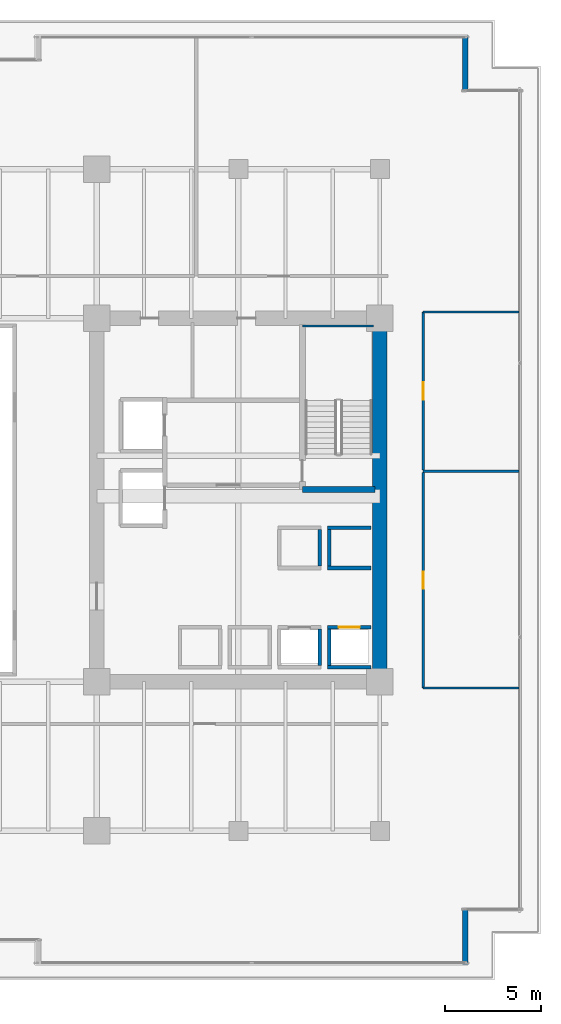
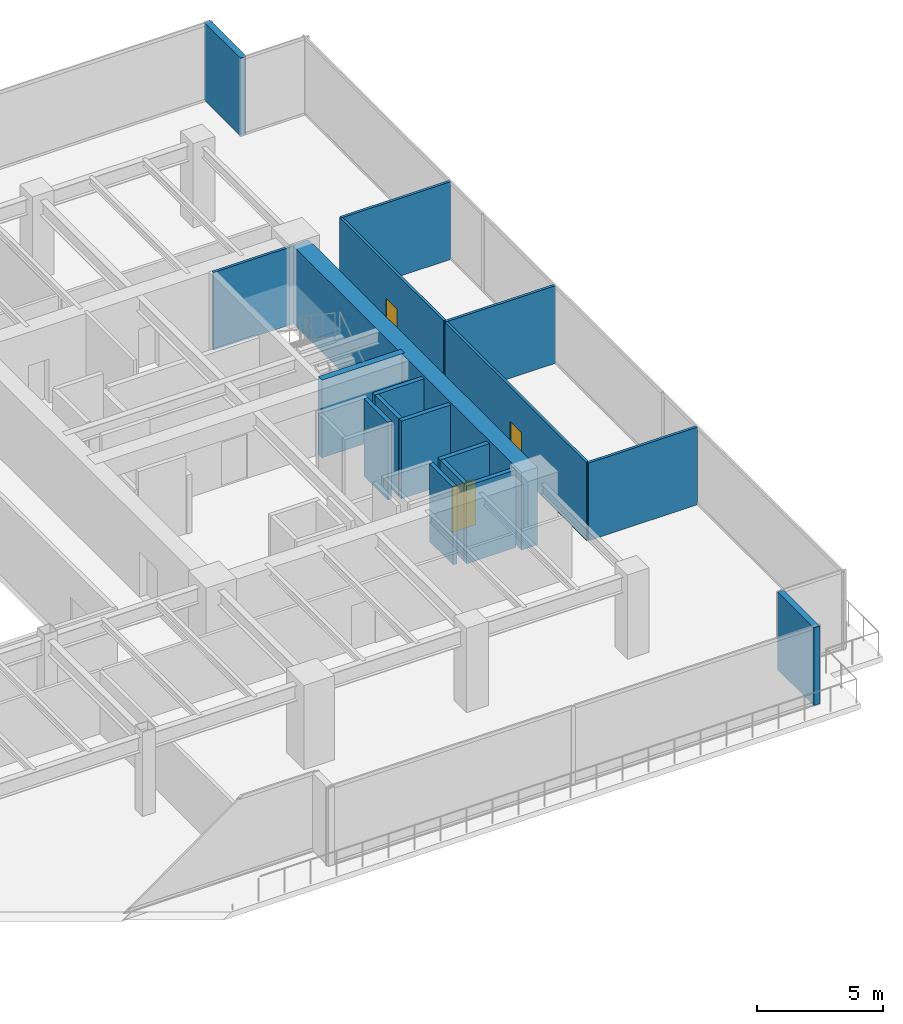
# One storey, part 32 of 36: 18 walls, 3 doors, 3 openings.
"""IFC4 building model written with IfcOpenShell, lengths in metres."""

from ifc_helpers import new_model, si_unit, direction, frame, frame_2d, origin, place, context, subcontext, project, spatial, rectangle, extrude, source, transform, mapped, material, layer, layer_set, type_object, type_shapes, element, fill, save


model = new_model("IFC4")

# Units and contexts
model_context = context("Model", 3, precision=1e-05, world=origin(), true_north=direction((0.0, 1.0)))
body_context = subcontext(model_context, "Body", "Model", "MODEL_VIEW")
ifc_project = project(units=[si_unit("LENGTHUNIT", "METRE"), si_unit("AREAUNIT", "SQUARE_METRE"), si_unit("VOLUMEUNIT", "CUBIC_METRE"), si_unit("PLANEANGLEUNIT", "RADIAN"), si_unit("MASSUNIT", "GRAM", prefix="KILO")], contexts=[model_context])

# Site, building, storey
site_placement = place(None, origin())
site = spatial("IfcSite", under=ifc_project, at=site_placement, CompositionType="ELEMENT")
building_placement = place(site_placement, origin())
building = spatial("IfcBuilding", under=site, at=building_placement, Name="Haelvirn Gate Laboratories", CompositionType="ELEMENT")
storey_placement = place(building_placement, frame((0.0, 0.0, 25.199951171875)))
storey = spatial("IfcBuildingStorey", under=building, at=storey_placement, Name="L06", CompositionType="ELEMENT", Elevation=25.199951171875)

# Walls
ifc_material_1 = material(Name="Thermally-broken bronze aluminium rainscreen & mineral wool", Category="aluminium")
ifc_layer_1 = layer(ifc_material_1, 0.280029296875, Name="EW-TERR-280")
ifc_layer_set_1 = layer_set([ifc_layer_1], Name="Thermally-broken bronze aluminium rainscreen & mineral wool")
wall_type_1 = type_object("IfcWallType", Name="EW-TERR-280", PredefinedType="STANDARD", material=ifc_layer_set_1)
wall_1_placement = place(storey_placement, frame((71.860107421875, 0.0, 0.0), z_axis=(0.0, 0.0, 1.0), x_axis=(0.0, 1.0, 0.0)))
element("IfcWall", 1, at=wall_1_placement, inside=storey, type_object=wall_type_1, Name="L06 Atrium Recess Bronze Return Wall 05", PredefinedType="STANDARD", context=body_context, shape_type="SweptSolid", body=[
    extrude(rectangle(XDim=2.887939453125, YDim=0.280029296875, at=frame_2d((1.44384765625, 0.0))), origin(), (0.0, 0.0, 1.0), 3.780029296875),
])
wall_2_placement = place(storey_placement, frame((71.860107421875, 45.7119140625, 0.0), z_axis=(0.0, 0.0, 1.0), x_axis=(0.0, 1.0, 0.0)))
element("IfcWall", 2, at=wall_2_placement, inside=storey, type_object=wall_type_1, Name="L06 Atrium Recess Bronze Return Wall 09", PredefinedType="STANDARD", context=body_context, shape_type="SweptSolid", body=[
    extrude(rectangle(XDim=2.88818359375, YDim=0.280029296875, at=frame_2d((1.444091796875, 0.0))), origin(), (0.0, 0.0, 1.0), 3.780029296875),
])
ifc_material_2 = material(Name="Lightweight acoustic gypsum board partition", Category="gypsum")
ifc_layer_2 = layer(ifc_material_2, 0.1201171875, Name="IW-PART-120")
ifc_layer_set_2 = layer_set([ifc_layer_2], Name="Lightweight acoustic gypsum board partition")
wall_type_2 = type_object("IfcWallType", Name="IW-PART-120", PredefinedType="PARTITIONING", material=ifc_layer_set_2)
for number, where, z_axis, x_axis, name in (
    (3, (69.669921875, 14.465087890625, 0.0), (0.0, 0.0, 1.0), (1.0, 0.0, 0.0), "L06 Interior Wall IW-L06-ECAP-S"),
    (4, (69.669921875, 34.135009765625, 0.0), (0.0, 0.0, 1.0), (1.0, 0.0, 0.0), "L06 Interior Wall IW-L06-ECAP-N"),
):
    element("IfcWall", number, at=place(storey_placement, frame(where, z_axis=z_axis, x_axis=x_axis)), inside=storey, type_object=wall_type_2, Name=name, PredefinedType="PARTITIONING", context=body_context, shape_type="SweptSolid", body=[
        extrude(rectangle(XDim=5.02001953125, YDim=0.1201171875, at=frame_2d((2.510009765625, 0.0))), origin(), (0.0, 0.0, 1.0), 3.780029296875),
    ])

# Wall, opening, door
wall_3_placement = place(storey_placement, frame((69.669921875, 14.465087890625, 0.0), z_axis=(0.0, 0.0, 1.0), x_axis=(0.0, 1.0, 0.0)))
wall_3 = element("IfcWall", 5, at=wall_3_placement, inside=storey, type_object=wall_type_2, Name="L06 Interior Wall IW-L06-EPASS-01", PredefinedType="PARTITIONING", context=body_context, shape_type="SweptSolid", body=[
    extrude(rectangle(XDim=11.27490234375, YDim=0.1201171875, at=frame_2d((5.637451171875, 0.0))), origin(), (0.0, 0.0, 1.0), 3.780029296875),
])
opening_1_placement = place(wall_3_placement, frame((5.1875, 0.0, 0.0)))
opening_1 = element("IfcOpeningElement", 6, at=opening_1_placement, cuts=wall_3, Name="Opening D4", PredefinedType="OPENING", context=body_context, shape_type="SweptSolid", body=[
    extrude(rectangle(XDim=0.89990234375, YDim=2.10009765625, at=frame_2d((0.449951171875, 1.050048828125))), frame((0.0, 0.070068359375, 0.0), z_axis=(0.0, -1.0, 0.0), x_axis=(1.0, 0.0, 0.0)), (0.0, 0.0, 1.0), 0.14013671875),
])
ifc_material_3 = material(Name="Glazed aluminium-framed write-up door", Category="aluminium")
door_type_1 = type_object("IfcDoorType", Name="DR-OFF-900", OperationType="NOTDEFINED", PredefinedType="DOOR", material=ifc_material_3)
shared_shape_1 = source(origin(), body_context, "Body", "SweptSolid", [
    extrude(rectangle(XDim=0.89990234375, YDim=2.10009765625, at=frame_2d((0.449951171875, 1.050048828125))), frame((0.0, 0.02490234375, 0.0), z_axis=(0.0, -1.0, 0.0), x_axis=(1.0, 0.0, 0.0)), (0.0, 0.0, 1.0), 0.050048828125),
])
type_shapes(door_type_1, [shared_shape_1])
door_1_placement = place(opening_1_placement, origin())
door_1 = element("IfcDoor", 7, at=door_1_placement, inside=storey, type_object=door_type_1, Name="L06 Chemical Synthesis Laboratory Door E1", OperationType="SINGLE_SWING_LEFT", OverallHeight=2.10009765625, OverallWidth=0.89990234375, PredefinedType="DOOR", context=body_context, shape_type="MappedRepresentation", body=[
    mapped(shared_shape_1, transform((0.0, 0.0, 0.0), scale=1.0)),
])
fill(opening_1, door_1)

# Wall
wall_4_placement = place(storey_placement, frame((69.669921875, 25.800048828125, 0.0), z_axis=(0.0, 0.0, 1.0), x_axis=(1.0, 0.0, 0.0)))
element("IfcWall", 8, at=wall_4_placement, inside=storey, type_object=wall_type_2, Name="L06 Interior Wall IW-L06-EDIV-01", PredefinedType="PARTITIONING", context=body_context, shape_type="SweptSolid", body=[
    extrude(rectangle(XDim=5.02001953125, YDim=0.1201171875, at=frame_2d((2.510009765625, 0.0))), origin(), (0.0, 0.0, 1.0), 3.780029296875),
])

# Wall, opening, door
wall_5_placement = place(storey_placement, frame((69.669921875, 25.860107421875, 0.0), z_axis=(0.0, 0.0, 1.0), x_axis=(0.0, 1.0, 0.0)))
wall_5 = element("IfcWall", 9, at=wall_5_placement, inside=storey, type_object=wall_type_2, Name="L06 Interior Wall IW-L06-EPASS-02", PredefinedType="PARTITIONING", context=body_context, shape_type="SweptSolid", body=[
    extrude(rectangle(XDim=8.27490234375, YDim=0.1201171875, at=frame_2d((4.137451171875, 0.0))), origin(), (0.0, 0.0, 1.0), 3.780029296875),
])
opening_2_placement = place(wall_5_placement, frame((3.6875, 0.0, 0.0)))
opening_2 = element("IfcOpeningElement", 10, at=opening_2_placement, cuts=wall_5, Name="Opening D4", PredefinedType="OPENING", context=body_context, shape_type="SweptSolid", body=[
    extrude(rectangle(XDim=0.89990234375, YDim=2.10009765625, at=frame_2d((0.449951171875, 1.050048828125))), frame((0.0, 0.070068359375, 0.0), z_axis=(0.0, -1.0, 0.0), x_axis=(1.0, 0.0, 0.0)), (0.0, 0.0, 1.0), 0.14013671875),
])
door_2_placement = place(opening_2_placement, origin())
door_2 = element("IfcDoor", 11, at=door_2_placement, inside=storey, type_object=door_type_1, Name="L06 Bioprocess Foundry Laboratory Door E2", OperationType="SINGLE_SWING_RIGHT", OverallHeight=2.10009765625, OverallWidth=0.89990234375, PredefinedType="DOOR", context=body_context, shape_type="MappedRepresentation", body=[
    mapped(shared_shape_1, transform((0.0, 0.0, 0.0), scale=1.0)),
])
fill(opening_2, door_2)

# Walls
ifc_material_4 = material(Name="Concrete C40/50", Category="concrete")
ifc_layer_3 = layer(ifc_material_4, 0.179931640625, Name="IW-SHAFT-180")
ifc_layer_set_3 = layer_set([ifc_layer_3], Name="Concrete C40/50")
wall_type_3 = type_object("IfcWallType", Name="IW-SHAFT-180", PredefinedType="SOLIDWALL", material=ifc_layer_set_3)
for number, where, z_axis, x_axis, name in (
    (12, (64.75, 15.64990234375, 0.0), (0.0, 0.0, 1.0), (0.0, 1.0, 0.0), "L06 Interior Wall IW-L06-PL3-SD"),
    (13, (64.25, 15.64990234375, 0.0), (0.0, 0.0, 1.0), (0.0, 1.0, 0.0), "L06 Interior Wall IW-L06-PL4-SDE"),
):
    element("IfcWall", number, at=place(storey_placement, frame(where, z_axis=z_axis, x_axis=x_axis)), inside=storey, type_object=wall_type_3, Name=name, PredefinedType="SOLIDWALL", context=body_context, shape_type="SweptSolid", body=[
        extrude(rectangle(XDim=1.900146484375, YDim=0.179931640625, at=frame_2d((0.9501953125, 0.0))), origin(), (0.0, 0.0, 1.0), 3.780029296875),
    ])
for number, where, z_axis, x_axis, name in (
    (14, (64.75, 20.85009765625, 0.0), (0.0, 0.0, 1.0), (0.0, 1.0, 0.0), "L06 Interior Wall IW-L06-PL11-SD"),
    (15, (64.25, 20.85009765625, 0.0), (0.0, 0.0, 1.0), (0.0, 1.0, 0.0), "L06 Interior Wall IW-L06-PL12-SDE"),
):
    element("IfcWall", number, at=place(storey_placement, frame(where, z_axis=z_axis, x_axis=x_axis)), inside=storey, type_object=wall_type_3, Name=name, PredefinedType="SOLIDWALL", context=body_context, shape_type="SweptSolid", body=[
        extrude(rectangle(XDim=1.89990234375, YDim=0.179931640625, at=frame_2d((0.949951171875, 0.0))), origin(), (0.0, 0.0, 1.0), 3.780029296875),
    ])

# Wall, opening, door
ifc_layer_4 = layer(ifc_material_4, 0.199951171875, Name="IW-SHAFT-200")
ifc_layer_set_4 = layer_set([ifc_layer_4], Name="Concrete C40/50")
wall_type_4 = type_object("IfcWallType", Name="IW-SHAFT-200", PredefinedType="SOLIDWALL", material=ifc_layer_set_4)
wall_6_placement = place(storey_placement, frame((64.669921875, 17.64990234375, 0.0), z_axis=(0.0, 0.0, 1.0), x_axis=(1.0, 0.0, 0.0)))
wall_6 = element("IfcWall", 16, at=wall_6_placement, inside=storey, type_object=wall_type_4, Name="L06 Interior Wall IW-L06-PL3-FR", PredefinedType="SOLIDWALL", context=body_context, shape_type="SweptSolid", body=[
    extrude(rectangle(XDim=2.260009765625, YDim=0.199951171875, at=frame_2d((1.1298828125, 0.0))), origin(), (0.0, 0.0, 1.0), 3.780029296875),
])
opening_3_placement = place(wall_6_placement, frame((0.580078125, 0.0, 0.0)))
opening_3 = element("IfcOpeningElement", 17, at=opening_3_placement, cuts=wall_6, Name="Opening LD2", PredefinedType="OPENING", context=body_context, shape_type="SweptSolid", body=[
    extrude(rectangle(XDim=1.10009765625, YDim=2.219970703125, at=frame_2d((0.550048828125, 1.10986328125))), frame((0.0, 0.10986328125, 0.0), z_axis=(0.0, -1.0, 0.0), x_axis=(1.0, 0.0, 0.0)), (0.0, 0.0, 1.0), 0.219970703125),
])
ifc_material_5 = material(Name="Bronze stainless 316L sliding lift landing door")
door_type_2 = type_object("IfcDoorType", Name="DR-LD-1100", OperationType="NOTDEFINED", PredefinedType="USERDEFINED", material=ifc_material_5)
shared_shape_2 = source(origin(), body_context, "Body", "SweptSolid", [
    extrude(rectangle(XDim=1.10009765625, YDim=2.219970703125, at=frame_2d((0.550048828125, 1.10986328125))), frame((0.0, 0.02490234375, 0.0), z_axis=(0.0, -1.0, 0.0), x_axis=(1.0, 0.0, 0.0)), (0.0, 0.0, 1.0), 0.050048828125),
])
type_shapes(door_type_2, [shared_shape_2])
door_3_placement = place(opening_3_placement, origin())
door_3 = element("IfcDoor", 18, at=door_3_placement, inside=storey, type_object=door_type_2, Name="L06 Passenger Lift PL3 Landing Door", ObjectType="LANDING_DOOR", OperationType="SLIDING_TO_LEFT", OverallHeight=2.219970703125, OverallWidth=1.10009765625, PredefinedType="USERDEFINED", context=body_context, shape_type="MappedRepresentation", body=[
    mapped(shared_shape_2, transform((0.0, 0.0, 0.0), scale=1.0)),
])
fill(opening_3, door_3)

# Walls
for number, where, z_axis, x_axis, name in (
    (19, (64.669921875, 15.550048828125, 0.0), (0.0, 0.0, 1.0), (1.0, 0.0, 0.0), "L06 Interior Wall IW-L06-PL3-BK"),
    (20, (64.669921875, 20.75, 0.0), (0.0, 0.0, 1.0), (1.0, 0.0, 0.0), "L06 Interior Wall IW-L06-PL11-FR"),
    (21, (64.669921875, 22.85009765625, 0.0), (0.0, 0.0, 1.0), (1.0, 0.0, 0.0), "L06 Interior Wall IW-L06-PL11-BK"),
):
    element("IfcWall", number, at=place(storey_placement, frame(where, z_axis=z_axis, x_axis=x_axis)), inside=storey, type_object=wall_type_4, Name=name, PredefinedType="SOLIDWALL", context=body_context, shape_type="SweptSolid", body=[
        extrude(rectangle(XDim=2.260009765625, YDim=0.199951171875, at=frame_2d((1.1298828125, 0.0))), origin(), (0.0, 0.0, 1.0), 3.780029296875),
    ])
ifc_material_6 = material(Name="Concrete C70/85", Category="concrete")
ifc_layer_5 = layer(ifc_material_6, 0.75, Name="SW-CORE-750")
ifc_layer_set_5 = layer_set([ifc_layer_5], Name="Concrete C70/85")
wall_type_5 = type_object("IfcWallType", Name="SW-CORE-750", PredefinedType="SHEAR", material=ifc_layer_set_5)
wall_7_placement = place(storey_placement, frame((67.39990234375, 15.175048828125, 0.0), z_axis=(0.0, 0.0, 1.0), x_axis=(0.0, 1.0, 0.0)))
element("IfcWall", 22, at=wall_7_placement, inside=storey, type_object=wall_type_5, Name="L06 E Core Shear Wall E", PredefinedType="SHEAR", context=body_context, shape_type="SweptSolid", body=[
    extrude(rectangle(XDim=18.25, YDim=0.75, at=frame_2d((9.125, 0.0))), origin(), (0.0, 0.0, 1.0), 3.780029296875),
])
ifc_material_7 = material(Name="Concrete C50/60", Category="concrete")
ifc_layer_6 = layer(ifc_material_7, 0.1201171875, Name="SW-LINER-120")
ifc_layer_set_6 = layer_set([ifc_layer_6], Name="Concrete C50/60")
wall_type_6 = type_object("IfcWallType", Name="SW-LINER-120", PredefinedType="SOLIDWALL", material=ifc_layer_set_6)
wall_8_placement = place(storey_placement, frame((63.35009765625, 33.39990234375, 0.0), z_axis=(0.0, 0.0, 1.0), x_axis=(1.0, 0.0, 0.0)))
element("IfcWall", 23, at=wall_8_placement, inside=storey, type_object=wall_type_6, Name="L06 E Core Stair Shaft Liner Wall N", PredefinedType="SOLIDWALL", context=body_context, shape_type="SweptSolid", body=[
    extrude(rectangle(XDim=3.719970703125, YDim=0.1201171875, at=frame_2d((1.85986328125, 0.0))), origin(), (0.0, 0.0, 1.0), 3.780029296875),
])
ifc_layer_7 = layer(ifc_material_7, 0.300048828125, Name="SW-STAIR-300")
ifc_layer_set_7 = layer_set([ifc_layer_7], Name="Concrete C50/60")
wall_type_7 = type_object("IfcWallType", Name="SW-STAIR-300", PredefinedType="SHEAR", material=ifc_layer_set_7)
wall_9_placement = place(storey_placement, frame((63.35009765625, 24.85009765625, 0.0), z_axis=(0.0, 0.0, 1.0), x_axis=(1.0, 0.0, 0.0)))
element("IfcWall", 24, at=wall_9_placement, inside=storey, type_object=wall_type_7, Name="L06 E Core Stair Shaft Structural Wall S", PredefinedType="SHEAR", context=body_context, shape_type="SweptSolid", body=[
    extrude(rectangle(XDim=3.7998046875, YDim=0.300048828125, at=frame_2d((1.89990234375, 0.0))), origin(), (0.0, 0.0, 1.0), 3.780029296875),
])

save(model, "model.ifc")
